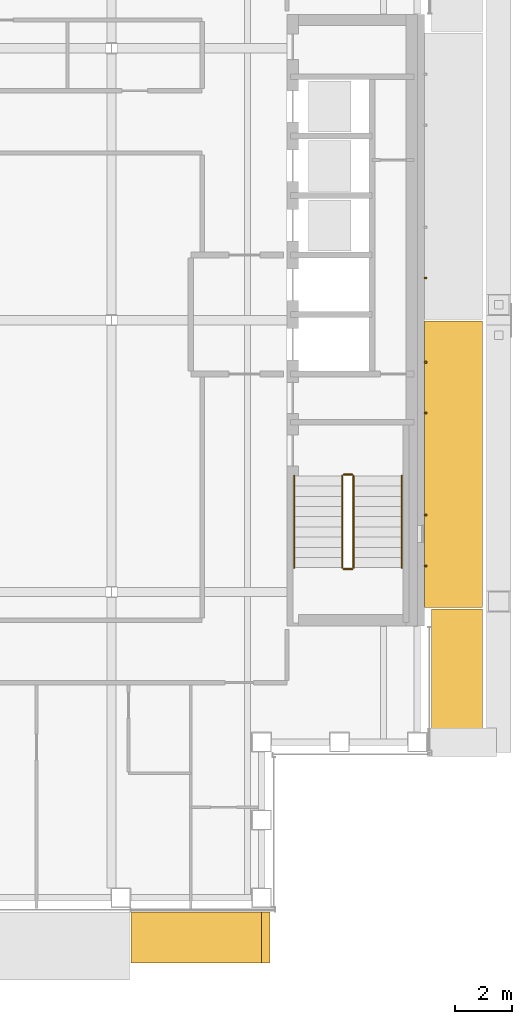
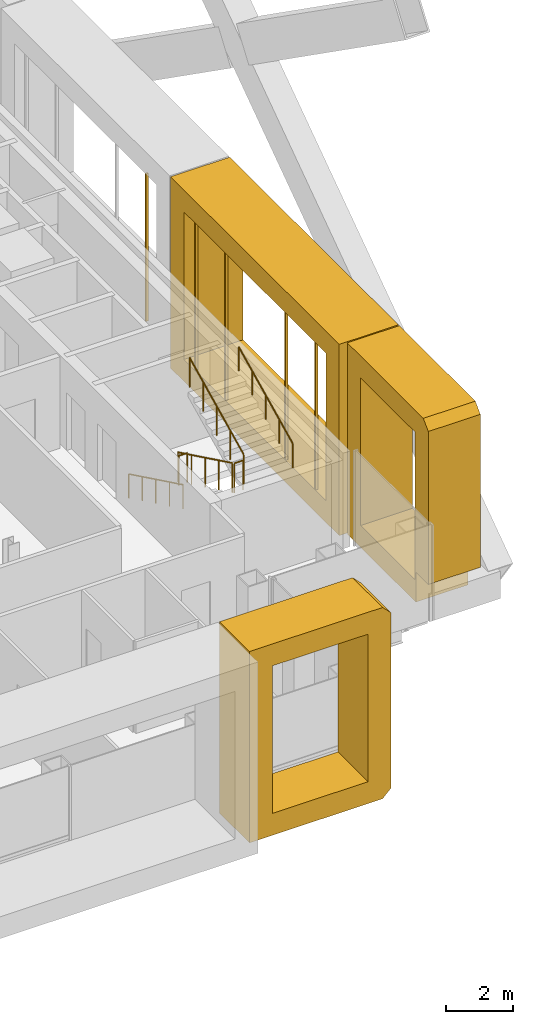
# One storey, part 18 of 21: 8 coverings, 6 railings.
"""IFC4 building model written with IfcOpenShell, lengths in metres."""

from ifc_helpers import new_model, si_unit, direction, frame, origin, origin_2d, place, context, subcontext, project, spatial, polyline, rectangle, circle, outline, extrude, material, type_object, element, save


model = new_model("IFC4")

# Units and contexts
model_context = context("Model", 3, precision=1e-05, world=origin(), true_north=direction((0.0, 1.0)))
body_context = subcontext(model_context, "Body", "Model", "MODEL_VIEW")
ifc_project = project(units=[si_unit("LENGTHUNIT", "METRE"), si_unit("AREAUNIT", "SQUARE_METRE"), si_unit("VOLUMEUNIT", "CUBIC_METRE"), si_unit("PLANEANGLEUNIT", "RADIAN"), si_unit("MASSUNIT", "GRAM", prefix="KILO")], contexts=[model_context])

# Site, building, storey
site_placement = place(None, origin())
site = spatial("IfcSite", under=ifc_project, at=site_placement, CompositionType="ELEMENT")
building_placement = place(site_placement, origin())
building = spatial("IfcBuilding", under=site, at=building_placement, Name="Cobrizo Arcos Hotel Tower", CompositionType="ELEMENT")
storey_placement = place(building_placement, frame((0.0, 0.0, 212.0)))
storey = spatial("IfcBuildingStorey", under=building, at=storey_placement, Name="L55", CompositionType="ELEMENT", Elevation=212.0)

# Coverings
ifc_material_1 = material(Name="Aluminium 6063-T6 anodised bronze", Category="aluminium")
covering_type_1 = type_object("IfcCoveringType", Name="FIN-F 1800", PredefinedType="CLADDING", material=ifc_material_1)
covering_1_placement = place(storey_placement, frame((20.89990234375, -15.050048828125, 0.0), z_axis=(1.0, 0.0, 0.0), x_axis=(0.0, 1.0, 0.0)))
element("IfcCovering", 1, at=covering_1_placement, inside=storey, type_object=covering_type_1, Name="Fin frame 317", PredefinedType="CLADDING", context=body_context, shape_type="SweptSolid", body=[
    extrude(outline(polyline([(0.0, 6.699951171875), (0.0, 1.10205078125), (0.751953125, 1.10205078125), (0.751953125, 0.0), (4.8583984375, 0.0), (4.8583984375, 7.0), (0.300048828125, 7.0), (0.0, 6.699951171875)]), holes=[polyline([(4.058349609375, 0.800048828125), (0.800048828125, 0.800048828125), (0.800048828125, 6.199951171875), (4.058349609375, 6.199951171875), (4.058349609375, 0.800048828125)])]), origin(), (0.0, 0.0, 1.0), 1.800048828125),
])
covering_2_placement = place(storey_placement, frame((10.291748046875, -20.89990234375, 0.0), z_axis=(0.0, -1.0, 0.0), x_axis=(1.0, 0.0, 0.0)))
element("IfcCovering", 2, at=covering_2_placement, inside=storey, type_object=covering_type_1, Name="Fin frame 338", PredefinedType="CLADDING", context=body_context, shape_type="SweptSolid", body=[
    extrude(outline(polyline([(0.0, 7.0), (0.0, 0.0), (4.6083984375, 0.0), (4.908203125, 0.300048828125), (4.908203125, 6.699951171875), (4.6083984375, 7.0), (0.0, 7.0)]), holes=[polyline([(4.1083984375, 0.800048828125), (0.800048828125, 0.800048828125), (0.800048828125, 6.199951171875), (4.1083984375, 6.199951171875), (4.1083984375, 0.800048828125)])]), origin(), (0.0, 0.0, 1.0), 1.800048828125),
])
covering_type_2 = type_object("IfcCoveringType", Name="FIN-F 2050", PredefinedType="CLADDING", material=ifc_material_1)
covering_3_placement = place(storey_placement, frame((20.64990234375, -10.1416015625, 0.0), z_axis=(1.0, 0.0, 0.0), x_axis=(0.0, 1.0, 0.0)))
element("IfcCovering", 3, at=covering_3_placement, inside=storey, type_object=covering_type_2, Name="Fin frame 318", PredefinedType="CLADDING", context=body_context, shape_type="SweptSolid", body=[
    extrude(outline(polyline([(0.0, 7.0), (0.0, 0.0), (10.11669921875, 0.0), (10.11669921875, 7.0), (0.0, 7.0)]), holes=[polyline([(9.316650390625, 0.800048828125), (0.800048828125, 0.800048828125), (0.800048828125, 6.199951171875), (9.316650390625, 6.199951171875), (9.316650390625, 0.800048828125)])]), origin(), (0.0, 0.0, 1.0), 2.050048828125),
])
ifc_material_2 = material(Name="Aluminium 6063-T6 anodised pale", Category="aluminium")
covering_type_3 = type_object("IfcCoveringType", Name="RS-1 rainscreen rib 60x90", PredefinedType="CLADDING", material=ifc_material_2)
for number, where, z_axis, x_axis, name in (
    (4, (20.695068359375, -8.683349609375, 0.800048828125), (0.0, 0.0, 1.0), (0.0, 1.0, 0.0), "Rainscreen rib 209"),
    (5, (20.695068359375, -6.88330078125, 0.800048828125), (0.0, 0.0, 1.0), (0.0, 1.0, 0.0), "Rainscreen rib 210"),
    (6, (20.695068359375, -3.283447265625, 0.800048828125), (0.0, 0.0, 1.0), (0.0, 1.0, 0.0), "Rainscreen rib 211"),
    (7, (20.695068359375, -1.4833984375, 0.800048828125), (0.0, 0.0, 1.0), (0.0, 1.0, 0.0), "Rainscreen rib 212"),
    (8, (20.695068359375, 1.4833984375, 0.800048828125), (0.0, 0.0, 1.0), (0.0, 1.0, 0.0), "Rainscreen rib 213"),
):
    element("IfcCovering", number, at=place(storey_placement, frame(where, z_axis=z_axis, x_axis=x_axis)), inside=storey, type_object=covering_type_3, Name=name, PredefinedType="CLADDING", context=body_context, shape_type="SweptSolid", body=[
        extrude(rectangle(XDim=0.06005859375, YDim=0.090087890625, at=origin_2d()), origin(), (0.0, 0.0, 1.0), 5.39990234375),
    ])

# Railings
ifc_material_3 = material(Name="Stainless steel railing", Category="steel")
railing_type_1 = type_object("IfcRailingType", Name="Stair guard 1100", PredefinedType="GUARDRAIL", material=ifc_material_3)
railing_1_placement = place(storey_placement, frame((17.75, -5.5, 0.175048828125)))
element("IfcRailing", 9, at=railing_1_placement, inside=storey, type_object=railing_type_1, Name="L55 ST-E stair guard 1", PredefinedType="GUARDRAIL", context=body_context, shape_type="SweptSolid", body=[
    extrude(circle(Radius=0.02392578125, at=origin_2d()), frame((0.0, 0.0, 1.076171875), z_axis=(0.0, -0.899372665325, 0.437182809435), x_axis=(1.0, 0.0, 0.0)), (0.0, 0.0, 1.0), 3.6025390625),
    extrude(circle(Radius=0.02099609375, at=origin_2d()), origin(), (0.0, 0.0, 1.0), 1.052001953125),
    extrude(circle(Radius=0.02099609375, at=origin_2d()), frame((0.0, -0.81005859375, 0.393798828125)), (0.0, 0.0, 1.0), 1.052001953125),
    extrude(circle(Radius=0.02099609375, at=origin_2d()), frame((0.0, -1.6201171875, 0.78759765625)), (0.0, 0.0, 1.0), 1.052001953125),
    extrude(circle(Radius=0.02099609375, at=origin_2d()), frame((0.0, -2.429931640625, 1.18115234375)), (0.0, 0.0, 1.0), 1.052001953125),
    extrude(circle(Radius=0.02099609375, at=origin_2d()), frame((0.0, -3.239990234375, 1.574951171875)), (0.0, 0.0, 1.0), 1.052001953125),
])
railing_2_placement = place(storey_placement, frame((17.800048828125, -8.7900390625, 1.75)))
element("IfcRailing", 10, at=railing_2_placement, inside=storey, type_object=railing_type_1, Name="L55 ST-E stair guard 2", PredefinedType="GUARDRAIL", context=body_context, shape_type="SweptSolid", body=[
    extrude(circle(Radius=0.02392578125, at=origin_2d()), frame((0.0, 0.0, 1.076171875), z_axis=(1.0, 0.0, 0.0), x_axis=(0.0, 1.0, 0.0)), (0.0, 0.0, 1.0), 0.300048828125),
    extrude(circle(Radius=0.02099609375, at=origin_2d()), origin(), (0.0, 0.0, 1.0), 1.052001953125),
    extrude(circle(Radius=0.02099609375, at=origin_2d()), frame((0.300048828125, 0.0, 0.0)), (0.0, 0.0, 1.0), 1.052001953125),
])
railing_3_placement = place(storey_placement, frame((18.14990234375, -8.739990234375, 1.925048828125)))
element("IfcRailing", 11, at=railing_3_placement, inside=storey, type_object=railing_type_1, Name="L55 ST-E stair guard 3", PredefinedType="GUARDRAIL", context=body_context, shape_type="SweptSolid", body=[
    extrude(circle(Radius=0.02392578125, at=origin_2d()), frame((0.0, 0.0, 1.076171875), z_axis=(0.0, 0.899372665325, 0.437182809435), x_axis=(-1.0, 0.0, 0.0)), (0.0, 0.0, 1.0), 3.6025390625),
    extrude(circle(Radius=0.02099609375, at=origin_2d()), origin(), (0.0, 0.0, 1.0), 1.052001953125),
    extrude(circle(Radius=0.02099609375, at=origin_2d()), frame((0.0, 0.81005859375, 0.393798828125)), (0.0, 0.0, 1.0), 1.052001953125),
    extrude(circle(Radius=0.02099609375, at=origin_2d()), frame((0.0, 1.6201171875, 0.78759765625)), (0.0, 0.0, 1.0), 1.052001953125),
    extrude(circle(Radius=0.02099609375, at=origin_2d()), frame((0.0, 2.429931640625, 1.18115234375)), (0.0, 0.0, 1.0), 1.052001953125),
    extrude(circle(Radius=0.02099609375, at=origin_2d()), frame((0.0, 3.239990234375, 1.574951171875)), (0.0, 0.0, 1.0), 1.052001953125),
])
railing_4_placement = place(storey_placement, frame((17.800048828125, -5.449951171875, 0.0)))
element("IfcRailing", 12, at=railing_4_placement, inside=storey, type_object=railing_type_1, Name="L55 ST-E stair guard 4", PredefinedType="GUARDRAIL", context=body_context, shape_type="SweptSolid", body=[
    extrude(circle(Radius=0.02392578125, at=origin_2d()), frame((0.0, 0.0, 1.076171875), z_axis=(1.0, 0.0, 0.0), x_axis=(0.0, 1.0, 0.0)), (0.0, 0.0, 1.0), 0.300048828125),
    extrude(circle(Radius=0.02099609375, at=origin_2d()), origin(), (0.0, 0.0, 1.0), 1.052001953125),
    extrude(circle(Radius=0.02099609375, at=origin_2d()), frame((0.300048828125, 0.0, 0.0)), (0.0, 0.0, 1.0), 1.052001953125),
])
railing_type_2 = type_object("IfcRailingType", Name="Stair handrail", PredefinedType="HANDRAIL", material=ifc_material_3)
railing_5_placement = place(storey_placement, frame((16.050048828125, -5.5, 0.175048828125)))
element("IfcRailing", 13, at=railing_5_placement, inside=storey, type_object=railing_type_2, Name="L55 ST-E stair handrail 1", PredefinedType="HANDRAIL", context=body_context, shape_type="SweptSolid", body=[
    extrude(circle(Radius=0.02392578125, at=origin_2d()), frame((0.0, 0.0, 0.8759765625), z_axis=(0.0, -0.899372665325, 0.437182809435), x_axis=(1.0, 0.0, 0.0)), (0.0, 0.0, 1.0), 3.6025390625),
    extrude(circle(Radius=0.02099609375, at=origin_2d()), origin(), (0.0, 0.0, 1.0), 0.851806640625),
    extrude(circle(Radius=0.02099609375, at=origin_2d()), frame((0.0, -0.81005859375, 0.393798828125)), (0.0, 0.0, 1.0), 0.851806640625),
    extrude(circle(Radius=0.02099609375, at=origin_2d()), frame((0.0, -1.6201171875, 0.78759765625)), (0.0, 0.0, 1.0), 0.851806640625),
    extrude(circle(Radius=0.02099609375, at=origin_2d()), frame((0.0, -2.429931640625, 1.18115234375)), (0.0, 0.0, 1.0), 0.851806640625),
    extrude(circle(Radius=0.02099609375, at=origin_2d()), frame((0.0, -3.239990234375, 1.574951171875)), (0.0, 0.0, 1.0), 0.851806640625),
])
railing_6_placement = place(storey_placement, frame((19.85009765625, -8.739990234375, 1.925048828125)))
element("IfcRailing", 14, at=railing_6_placement, inside=storey, type_object=railing_type_2, Name="L55 ST-E stair handrail 2", PredefinedType="HANDRAIL", context=body_context, shape_type="SweptSolid", body=[
    extrude(circle(Radius=0.02392578125, at=origin_2d()), frame((0.0, 0.0, 0.8759765625), z_axis=(0.0, 0.899372665325, 0.437182809435), x_axis=(-1.0, 0.0, 0.0)), (0.0, 0.0, 1.0), 3.6025390625),
    extrude(circle(Radius=0.02099609375, at=origin_2d()), origin(), (0.0, 0.0, 1.0), 0.851806640625),
    extrude(circle(Radius=0.02099609375, at=origin_2d()), frame((0.0, 0.81005859375, 0.393798828125)), (0.0, 0.0, 1.0), 0.851806640625),
    extrude(circle(Radius=0.02099609375, at=origin_2d()), frame((0.0, 1.6201171875, 0.78759765625)), (0.0, 0.0, 1.0), 0.851806640625),
    extrude(circle(Radius=0.02099609375, at=origin_2d()), frame((0.0, 2.429931640625, 1.18115234375)), (0.0, 0.0, 1.0), 0.851806640625),
    extrude(circle(Radius=0.02099609375, at=origin_2d()), frame((0.0, 3.239990234375, 1.574951171875)), (0.0, 0.0, 1.0), 0.851806640625),
])

save(model, "model.ifc")
